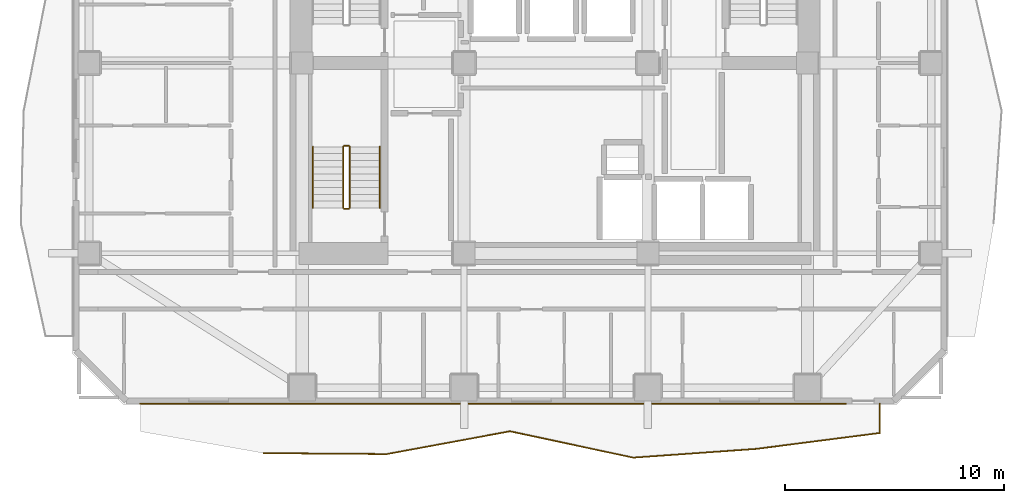
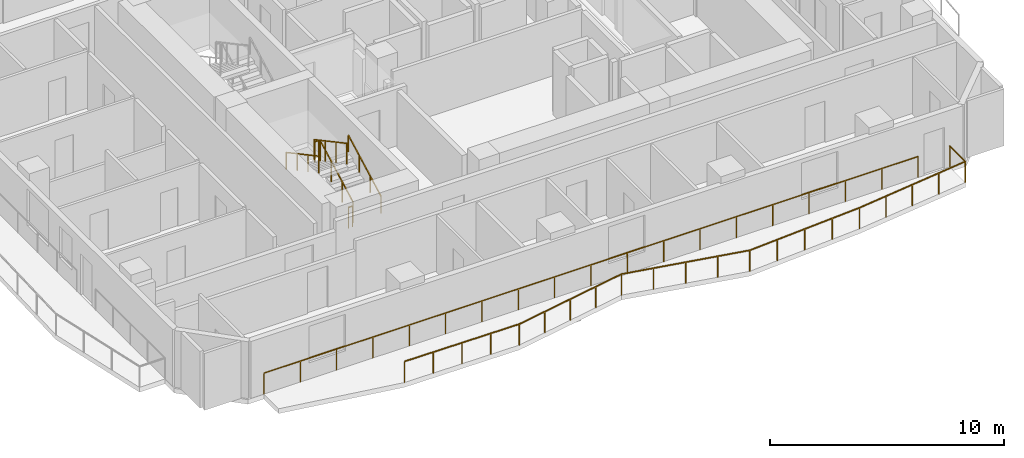
# One storey, part 8 of 11: 8 railings.
"""IFC4 building model written with IfcOpenShell, lengths in metres."""

from ifc_helpers import new_model, si_unit, direction, frame, origin, origin_2d, place, context, subcontext, project, spatial, rectangle, extrude, material, type_object, element, save


model = new_model("IFC4")

# Units and contexts
model_context = context("Model", 3, precision=1e-05, world=origin(), true_north=direction((0.0, 1.0)))
body_context = subcontext(model_context, "Body", "Model", "MODEL_VIEW")
ifc_project = project(units=[si_unit("LENGTHUNIT", "METRE"), si_unit("AREAUNIT", "SQUARE_METRE"), si_unit("VOLUMEUNIT", "CUBIC_METRE"), si_unit("PLANEANGLEUNIT", "RADIAN"), si_unit("MASSUNIT", "GRAM", prefix="KILO")], contexts=[model_context])

# Site, building, storey
site_placement = place(None, origin())
site = spatial("IfcSite", under=ifc_project, at=site_placement, CompositionType="ELEMENT")
building_placement = place(site_placement, origin())
building = spatial("IfcBuilding", under=site, at=building_placement, Name="Solanera Arch Residences", CompositionType="ELEMENT")
storey_placement = place(building_placement, frame((0.0, 0.0, 169.159912109375)))
storey = spatial("IfcBuildingStorey", under=building, at=storey_placement, Name="L49", CompositionType="ELEMENT", Elevation=169.159912109375)

# Railings
ifc_material_1 = material(Name="Steel S355 (ASTM A992 / A572 Grade 50)", Category="steel")
railing_type_1 = type_object("IfcRailingType", Name="Balustrade Railing BL-1100", PredefinedType="BALUSTRADE", material=ifc_material_1)
railing_1_placement = place(storey_placement, frame((11.633056640625, 12.863037109375, 0.0)))
element("IfcRailing", 1, at=railing_1_placement, inside=storey, type_object=railing_type_1, Name="L49 S Balcony Balustrade 1", PredefinedType="BALUSTRADE", context=body_context, shape_type="SweptSolid", body=[
    extrude(rectangle(XDim=0.048095703125, YDim=0.048095703125, at=origin_2d()), frame((0.0, 0.0, 1.09619140625), z_axis=(0.999972225253, -0.007453101475, 0.0), x_axis=(0.007453101475, 0.999972225253, 0.0)), (0.0, 0.0, 1.0), 5.63427734375),
    extrude(rectangle(XDim=0.048095703125, YDim=0.048095703125, at=origin_2d()), frame((5.634033203125, -0.0419921875, 1.09619140625), z_axis=(0.983317031983, 0.181900012678, 0.0), x_axis=(-0.181900012678, 0.983317031983, 0.0)), (0.0, 0.0, 1.0), 5.728271484375),
    extrude(rectangle(XDim=0.048095703125, YDim=0.048095703125, at=origin_2d()), frame((11.266845703125, 1.0, 1.09619140625), z_axis=(0.977873682777, -0.209196224946, 0.0), x_axis=(0.209196224946, 0.977873682777, 0.0)), (0.0, 0.0, 1.0), 5.760498046875),
    extrude(rectangle(XDim=0.048095703125, YDim=0.048095703125, at=origin_2d()), frame((16.89990234375, -0.205078125, 1.09619140625), z_axis=(0.997487361728, 0.070844641239, 0.0), x_axis=(-0.070844641239, 0.997487361728, 0.0)), (0.0, 0.0, 1.0), 5.648193359375),
    extrude(rectangle(XDim=0.048095703125, YDim=0.048095703125, at=origin_2d()), frame((22.533935546875, 0.195068359375, 1.09619140625), z_axis=(0.991800553618, 0.127795390539, 0.0), x_axis=(-0.127795390539, 0.991800553618, 0.0)), (0.0, 0.0, 1.0), 5.6796875),
    extrude(rectangle(XDim=0.048095703125, YDim=0.048095703125, at=origin_2d()), frame((28.1669921875, 0.9208984375, 1.09619140625), z_axis=(0.0, 1.0, 0.0), x_axis=(-1.0, 0.0, 0.0)), (0.0, 0.0, 1.0), 1.336181640625),
    extrude(rectangle(XDim=0.0419921875, YDim=0.0419921875, at=origin_2d()), origin(), (0.0, 0.0, 1.0), 1.072021484375),
    extrude(rectangle(XDim=0.0419921875, YDim=0.0419921875, at=origin_2d()), frame((1.408447265625, -0.010498046875, 0.0)), (0.0, 0.0, 1.0), 1.072021484375),
    extrude(rectangle(XDim=0.0419921875, YDim=0.0419921875, at=origin_2d()), frame((2.81689453125, -0.02099609375, 0.0)), (0.0, 0.0, 1.0), 1.072021484375),
    extrude(rectangle(XDim=0.0419921875, YDim=0.0419921875, at=origin_2d()), frame((4.2255859375, -0.031494140625, 0.0)), (0.0, 0.0, 1.0), 1.072021484375),
    extrude(rectangle(XDim=0.0419921875, YDim=0.0419921875, at=origin_2d()), frame((5.634033203125, -0.0419921875, 0.0)), (0.0, 0.0, 1.0), 1.072021484375),
    extrude(rectangle(XDim=0.0419921875, YDim=0.0419921875, at=origin_2d()), frame((7.042236328125, 0.218505859375, 0.0)), (0.0, 0.0, 1.0), 1.072021484375),
    extrude(rectangle(XDim=0.0419921875, YDim=0.0419921875, at=origin_2d()), frame((8.450439453125, 0.47900390625, 0.0)), (0.0, 0.0, 1.0), 1.072021484375),
    extrude(rectangle(XDim=0.0419921875, YDim=0.0419921875, at=origin_2d()), frame((9.858642578125, 0.739501953125, 0.0)), (0.0, 0.0, 1.0), 1.072021484375),
    extrude(rectangle(XDim=0.0419921875, YDim=0.0419921875, at=origin_2d()), frame((11.266845703125, 1.0, 0.0)), (0.0, 0.0, 1.0), 1.072021484375),
    extrude(rectangle(XDim=0.0419921875, YDim=0.0419921875, at=origin_2d()), frame((12.675048828125, 0.69873046875, 0.0)), (0.0, 0.0, 1.0), 1.072021484375),
    extrude(rectangle(XDim=0.0419921875, YDim=0.0419921875, at=origin_2d()), frame((14.08349609375, 0.3974609375, 0.0)), (0.0, 0.0, 1.0), 1.072021484375),
    extrude(rectangle(XDim=0.0419921875, YDim=0.0419921875, at=origin_2d()), frame((15.49169921875, 0.09619140625, 0.0)), (0.0, 0.0, 1.0), 1.072021484375),
    extrude(rectangle(XDim=0.0419921875, YDim=0.0419921875, at=origin_2d()), frame((16.89990234375, -0.205078125, 0.0)), (0.0, 0.0, 1.0), 1.072021484375),
    extrude(rectangle(XDim=0.0419921875, YDim=0.0419921875, at=origin_2d()), frame((18.308349609375, -0.10498046875, 0.0)), (0.0, 0.0, 1.0), 1.072021484375),
    extrude(rectangle(XDim=0.0419921875, YDim=0.0419921875, at=origin_2d()), frame((19.716796875, -0.0048828125, 0.0)), (0.0, 0.0, 1.0), 1.072021484375),
    extrude(rectangle(XDim=0.0419921875, YDim=0.0419921875, at=origin_2d()), frame((21.12548828125, 0.094970703125, 0.0)), (0.0, 0.0, 1.0), 1.072021484375),
    extrude(rectangle(XDim=0.0419921875, YDim=0.0419921875, at=origin_2d()), frame((22.533935546875, 0.195068359375, 0.0)), (0.0, 0.0, 1.0), 1.072021484375),
    extrude(rectangle(XDim=0.0419921875, YDim=0.0419921875, at=origin_2d()), frame((23.942138671875, 0.37646484375, 0.0)), (0.0, 0.0, 1.0), 1.072021484375),
    extrude(rectangle(XDim=0.0419921875, YDim=0.0419921875, at=origin_2d()), frame((25.3505859375, 0.55810546875, 0.0)), (0.0, 0.0, 1.0), 1.072021484375),
    extrude(rectangle(XDim=0.0419921875, YDim=0.0419921875, at=origin_2d()), frame((26.7587890625, 0.739501953125, 0.0)), (0.0, 0.0, 1.0), 1.072021484375),
    extrude(rectangle(XDim=0.0419921875, YDim=0.0419921875, at=origin_2d()), frame((28.1669921875, 0.9208984375, 0.0)), (0.0, 0.0, 1.0), 1.072021484375),
    extrude(rectangle(XDim=0.0419921875, YDim=0.0419921875, at=origin_2d()), frame((28.1669921875, 2.257080078125, 0.0)), (0.0, 0.0, 1.0), 1.072021484375),
])
railing_2_placement = place(storey_placement, frame((38.240966796875, 15.1201171875, 0.0)))
element("IfcRailing", 2, at=railing_2_placement, inside=storey, type_object=railing_type_1, Name="L49 S Balcony Balustrade 2", PredefinedType="BALUSTRADE", context=body_context, shape_type="SweptSolid", body=[
    extrude(rectangle(XDim=0.048095703125, YDim=0.048095703125, at=origin_2d()), frame((0.0, 0.0, 1.09619140625), z_axis=(-1.0, 0.0, 0.0), x_axis=(0.0, -1.0, 0.0)), (0.0, 0.0, 1.0), 32.240966796875),
    extrude(rectangle(XDim=0.0419921875, YDim=0.0419921875, at=origin_2d()), origin(), (0.0, 0.0, 1.0), 1.072021484375),
    extrude(rectangle(XDim=0.0419921875, YDim=0.0419921875, at=origin_2d()), frame((-1.791259765625, 0.0, 0.0)), (0.0, 0.0, 1.0), 1.072021484375),
    extrude(rectangle(XDim=0.0419921875, YDim=0.0419921875, at=origin_2d()), frame((-3.582275390625, 0.0, 0.0)), (0.0, 0.0, 1.0), 1.072021484375),
    extrude(rectangle(XDim=0.0419921875, YDim=0.0419921875, at=origin_2d()), frame((-5.37353515625, 0.0, 0.0)), (0.0, 0.0, 1.0), 1.072021484375),
    extrude(rectangle(XDim=0.0419921875, YDim=0.0419921875, at=origin_2d()), frame((-7.16455078125, 0.0, 0.0)), (0.0, 0.0, 1.0), 1.072021484375),
    extrude(rectangle(XDim=0.0419921875, YDim=0.0419921875, at=origin_2d()), frame((-8.955810546875, 0.0, 0.0)), (0.0, 0.0, 1.0), 1.072021484375),
    extrude(rectangle(XDim=0.0419921875, YDim=0.0419921875, at=origin_2d()), frame((-10.7470703125, 0.0, 0.0)), (0.0, 0.0, 1.0), 1.072021484375),
    extrude(rectangle(XDim=0.0419921875, YDim=0.0419921875, at=origin_2d()), frame((-12.5380859375, 0.0, 0.0)), (0.0, 0.0, 1.0), 1.072021484375),
    extrude(rectangle(XDim=0.0419921875, YDim=0.0419921875, at=origin_2d()), frame((-14.329345703125, 0.0, 0.0)), (0.0, 0.0, 1.0), 1.072021484375),
    extrude(rectangle(XDim=0.0419921875, YDim=0.0419921875, at=origin_2d()), frame((-16.12060546875, 0.0, 0.0)), (0.0, 0.0, 1.0), 1.072021484375),
    extrude(rectangle(XDim=0.0419921875, YDim=0.0419921875, at=origin_2d()), frame((-17.91162109375, 0.0, 0.0)), (0.0, 0.0, 1.0), 1.072021484375),
    extrude(rectangle(XDim=0.0419921875, YDim=0.0419921875, at=origin_2d()), frame((-19.702880859375, 0.0, 0.0)), (0.0, 0.0, 1.0), 1.072021484375),
    extrude(rectangle(XDim=0.0419921875, YDim=0.0419921875, at=origin_2d()), frame((-21.493896484375, 0.0, 0.0)), (0.0, 0.0, 1.0), 1.072021484375),
    extrude(rectangle(XDim=0.0419921875, YDim=0.0419921875, at=origin_2d()), frame((-23.28515625, 0.0, 0.0)), (0.0, 0.0, 1.0), 1.072021484375),
    extrude(rectangle(XDim=0.0419921875, YDim=0.0419921875, at=origin_2d()), frame((-25.076416015625, 0.0, 0.0)), (0.0, 0.0, 1.0), 1.072021484375),
    extrude(rectangle(XDim=0.0419921875, YDim=0.0419921875, at=origin_2d()), frame((-26.867431640625, 0.0, 0.0)), (0.0, 0.0, 1.0), 1.072021484375),
    extrude(rectangle(XDim=0.0419921875, YDim=0.0419921875, at=origin_2d()), frame((-28.65869140625, 0.0, 0.0)), (0.0, 0.0, 1.0), 1.072021484375),
    extrude(rectangle(XDim=0.0419921875, YDim=0.0419921875, at=origin_2d()), frame((-30.44970703125, 0.0, 0.0)), (0.0, 0.0, 1.0), 1.072021484375),
    extrude(rectangle(XDim=0.0419921875, YDim=0.0419921875, at=origin_2d()), frame((-32.240966796875, 0.0, 0.0)), (0.0, 0.0, 1.0), 1.072021484375),
])
ifc_material_2 = material(Name="Steel S355 (ASTM A992 / A572 Grade 50)", Category="steel")
railing_type_2 = type_object("IfcRailingType", Name="Stair Guardrail GR-1100", PredefinedType="GUARDRAIL", material=ifc_material_2)
railing_3_placement = place(storey_placement, frame((15.570068359375, 24.080078125, 0.151123046875)))
element("IfcRailing", 3, at=railing_3_placement, inside=storey, type_object=railing_type_2, Name="L49 ST-T3 stair guard 1", PredefinedType="GUARDRAIL", context=body_context, shape_type="SweptSolid", body=[
    extrude(rectangle(XDim=0.048095703125, YDim=0.048095703125, at=origin_2d()), frame((0.0, 0.0, 1.076171875), z_axis=(0.0, 0.881580869306, 0.472033018838), x_axis=(-1.0, 0.0, 0.0)), (0.0, 0.0, 1.0), 3.164794921875),
    extrude(rectangle(XDim=0.0419921875, YDim=0.0419921875, at=origin_2d()), origin(), (0.0, 0.0, 1.0), 1.052001953125),
    extrude(rectangle(XDim=0.0419921875, YDim=0.0419921875, at=origin_2d()), frame((0.0, 0.929931640625, 0.498046875)), (0.0, 0.0, 1.0), 1.052001953125),
    extrude(rectangle(XDim=0.0419921875, YDim=0.0419921875, at=origin_2d()), frame((0.0, 1.860107421875, 0.995849609375)), (0.0, 0.0, 1.0), 1.052001953125),
    extrude(rectangle(XDim=0.0419921875, YDim=0.0419921875, at=origin_2d()), frame((0.0, 2.7900390625, 1.493896484375)), (0.0, 0.0, 1.0), 1.052001953125),
])
railing_4_placement = place(storey_placement, frame((15.52001953125, 26.919921875, 1.64501953125)))
element("IfcRailing", 4, at=railing_4_placement, inside=storey, type_object=railing_type_2, Name="L49 ST-T3 stair guard 2", PredefinedType="GUARDRAIL", context=body_context, shape_type="SweptSolid", body=[
    extrude(rectangle(XDim=0.048095703125, YDim=0.048095703125, at=origin_2d()), frame((0.0, 0.0, 1.076171875), z_axis=(-1.0, 0.0, 0.0), x_axis=(0.0, -1.0, 0.0)), (0.0, 0.0, 1.0), 0.199951171875),
    extrude(rectangle(XDim=0.0419921875, YDim=0.0419921875, at=origin_2d()), origin(), (0.0, 0.0, 1.0), 1.052001953125),
    extrude(rectangle(XDim=0.0419921875, YDim=0.0419921875, at=origin_2d()), frame((-0.199951171875, 0.0, 0.0)), (0.0, 0.0, 1.0), 1.052001953125),
])
railing_5_placement = place(storey_placement, frame((15.27001953125, 26.8701171875, 1.81103515625)))
element("IfcRailing", 5, at=railing_5_placement, inside=storey, type_object=railing_type_2, Name="L49 ST-T3 stair guard 3", PredefinedType="GUARDRAIL", context=body_context, shape_type="SweptSolid", body=[
    extrude(rectangle(XDim=0.048095703125, YDim=0.048095703125, at=origin_2d()), frame((0.0, 0.0, 1.076171875), z_axis=(0.0, -0.881548766853, 0.472092969298), x_axis=(1.0, 0.0, 0.0)), (0.0, 0.0, 1.0), 3.1650390625),
    extrude(rectangle(XDim=0.0419921875, YDim=0.0419921875, at=origin_2d()), origin(), (0.0, 0.0, 1.0), 1.052001953125),
    extrude(rectangle(XDim=0.0419921875, YDim=0.0419921875, at=origin_2d()), frame((0.0, -0.929931640625, 0.498046875)), (0.0, 0.0, 1.0), 1.052001953125),
    extrude(rectangle(XDim=0.0419921875, YDim=0.0419921875, at=origin_2d()), frame((0.0, -1.860107421875, 0.99609375)), (0.0, 0.0, 1.0), 1.052001953125),
    extrude(rectangle(XDim=0.0419921875, YDim=0.0419921875, at=origin_2d()), frame((0.0, -2.7900390625, 1.494140625)), (0.0, 0.0, 1.0), 1.052001953125),
])
railing_6_placement = place(storey_placement, frame((15.52001953125, 24.030029296875, -0.014892578125)))
element("IfcRailing", 6, at=railing_6_placement, inside=storey, type_object=railing_type_2, Name="L49 ST-T3 stair guard 4", PredefinedType="GUARDRAIL", context=body_context, shape_type="SweptSolid", body=[
    extrude(rectangle(XDim=0.048095703125, YDim=0.048095703125, at=origin_2d()), frame((0.0, 0.0, 1.076171875), z_axis=(-1.0, 0.0, 0.0), x_axis=(0.0, -1.0, 0.0)), (0.0, 0.0, 1.0), 0.199951171875),
    extrude(rectangle(XDim=0.0419921875, YDim=0.0419921875, at=origin_2d()), origin(), (0.0, 0.0, 1.0), 1.052001953125),
    extrude(rectangle(XDim=0.0419921875, YDim=0.0419921875, at=origin_2d()), frame((-0.199951171875, 0.0, 0.0)), (0.0, 0.0, 1.0), 1.052001953125),
])
ifc_material_3 = material(Name="Steel S355 (ASTM A992 / A572 Grade 50)", Category="steel")
railing_type_3 = type_object("IfcRailingType", Name="Stair Wall Handrail HR-920", PredefinedType="HANDRAIL", material=ifc_material_3)
railing_7_placement = place(storey_placement, frame((16.949951171875, 24.080078125, 0.166015625)))
element("IfcRailing", 7, at=railing_7_placement, inside=storey, type_object=railing_type_3, Name="L49 ST-T3 stair handrail 1", PredefinedType="HANDRAIL", context=body_context, shape_type="SweptSolid", body=[
    extrude(rectangle(XDim=0.048095703125, YDim=0.048095703125, at=origin_2d()), frame((0.0, 0.0, 0.8759765625), z_axis=(0.0, 0.881548766853, 0.472092969298), x_axis=(-1.0, 0.0, 0.0)), (0.0, 0.0, 1.0), 3.1650390625),
    extrude(rectangle(XDim=0.0419921875, YDim=0.0419921875, at=origin_2d()), origin(), (0.0, 0.0, 1.0), 0.851806640625),
    extrude(rectangle(XDim=0.0419921875, YDim=0.0419921875, at=origin_2d()), frame((0.0, 0.929931640625, 0.498046875)), (0.0, 0.0, 1.0), 0.851806640625),
    extrude(rectangle(XDim=0.0419921875, YDim=0.0419921875, at=origin_2d()), frame((0.0, 1.860107421875, 0.99609375)), (0.0, 0.0, 1.0), 0.851806640625),
    extrude(rectangle(XDim=0.0419921875, YDim=0.0419921875, at=origin_2d()), frame((0.0, 2.7900390625, 1.494140625)), (0.0, 0.0, 1.0), 0.851806640625),
])
railing_8_placement = place(storey_placement, frame((13.889892578125, 26.8701171875, 1.826171875)))
element("IfcRailing", 8, at=railing_8_placement, inside=storey, type_object=railing_type_3, Name="L49 ST-T3 stair handrail 2", PredefinedType="HANDRAIL", context=body_context, shape_type="SweptSolid", body=[
    extrude(rectangle(XDim=0.048095703125, YDim=0.048095703125, at=origin_2d()), frame((0.0, 0.0, 0.8759765625), z_axis=(0.0, -0.881580869306, 0.472033018838), x_axis=(1.0, 0.0, 0.0)), (0.0, 0.0, 1.0), 3.164794921875),
    extrude(rectangle(XDim=0.0419921875, YDim=0.0419921875, at=origin_2d()), origin(), (0.0, 0.0, 1.0), 0.851806640625),
    extrude(rectangle(XDim=0.0419921875, YDim=0.0419921875, at=origin_2d()), frame((0.0, -0.929931640625, 0.498046875)), (0.0, 0.0, 1.0), 0.851806640625),
    extrude(rectangle(XDim=0.0419921875, YDim=0.0419921875, at=origin_2d()), frame((0.0, -1.860107421875, 0.995849609375)), (0.0, 0.0, 1.0), 0.851806640625),
    extrude(rectangle(XDim=0.0419921875, YDim=0.0419921875, at=origin_2d()), frame((0.0, -2.7900390625, 1.493896484375)), (0.0, 0.0, 1.0), 0.851806640625),
])

save(model, "model.ifc")
